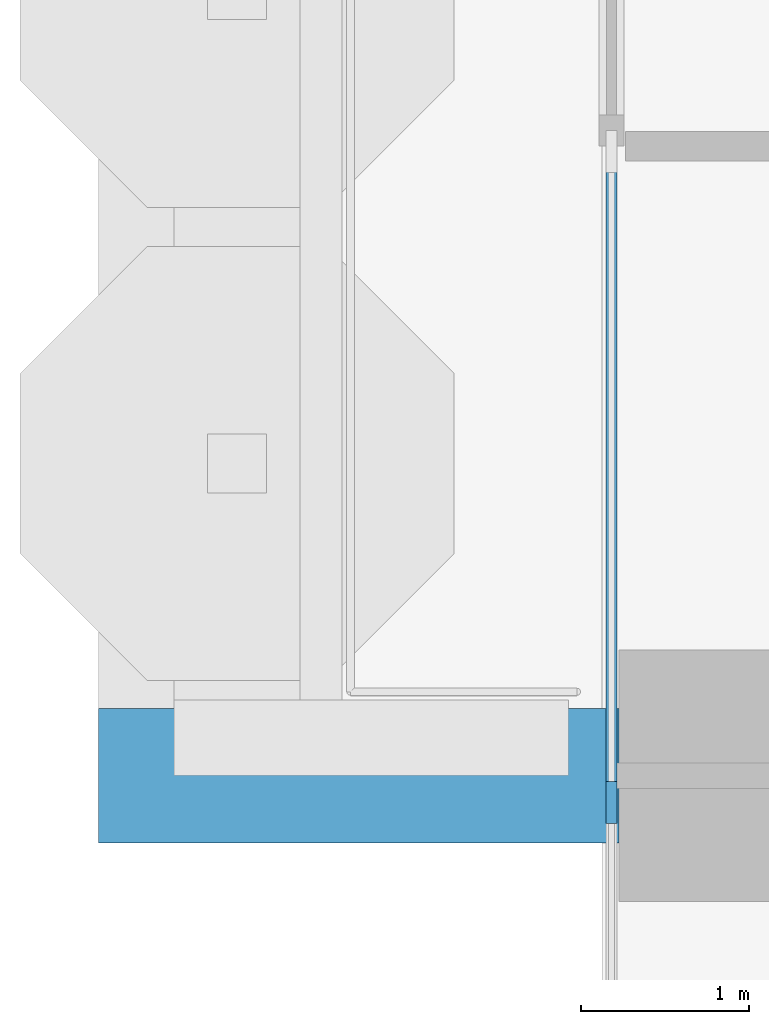
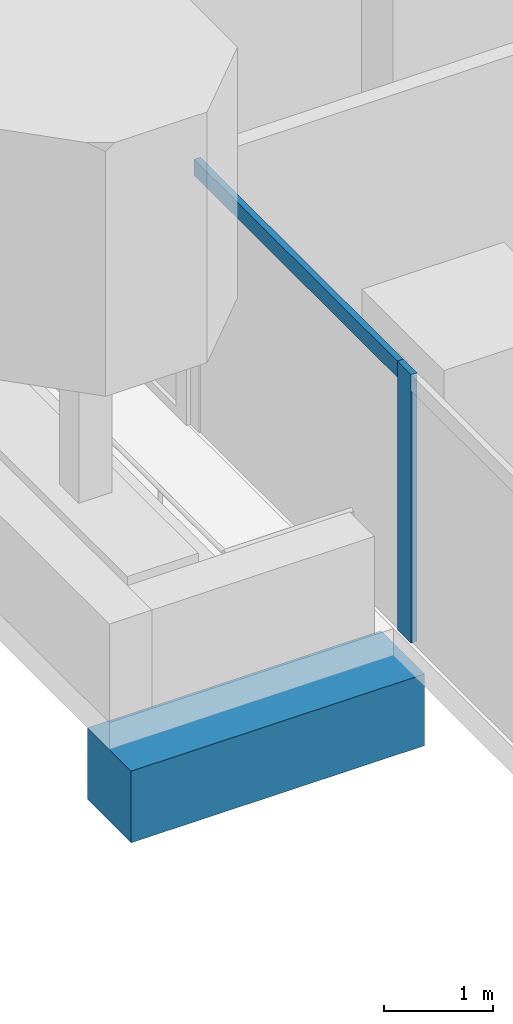
# One storey, part 3 of 19: 2 members, 1 beam, 1 element without a shape of its own.
"""IFC4 building model written with IfcOpenShell, lengths in metres."""

from ifc_helpers import new_model, si_unit, direction, frame, origin, origin_2d, place, context, subcontext, project, spatial, rectangle, extrude, material, material_profile, profile_set, type_object, element, aggregate, save


model = new_model("IFC4")

# Units and contexts
model_context = context("Model", 3, precision=1e-05, world=origin(), true_north=direction((0.0, 1.0)))
body_context = subcontext(model_context, "Body", "Model", "MODEL_VIEW")
ifc_project = project(units=[si_unit("LENGTHUNIT", "METRE"), si_unit("AREAUNIT", "SQUARE_METRE"), si_unit("VOLUMEUNIT", "CUBIC_METRE"), si_unit("PLANEANGLEUNIT", "RADIAN"), si_unit("MASSUNIT", "GRAM", prefix="KILO")], contexts=[model_context])

# Site, building, storey
site_placement = place(None, origin())
site = spatial("IfcSite", under=ifc_project, at=site_placement, CompositionType="ELEMENT")
building_placement = place(site_placement, origin())
building = spatial("IfcBuilding", under=site, at=building_placement, Name="Pilkhan Gate Tower", CompositionType="ELEMENT")
storey_placement = place(building_placement, frame((0.0, 0.0, 89.0)))
storey = spatial("IfcBuildingStorey", under=building, at=storey_placement, Name="L21", CompositionType="ELEMENT", Elevation=89.0)

# Beam
ifc_material_1 = material(Name="Concrete C50/60", Category="concrete")
ifc_material_profile_1 = material_profile(ifc_material_1, rectangle(XDim=0.800048828125, YDim=0.800048828125, at=origin_2d()), Name="RC 800x800")
ifc_profile_set_1 = profile_set([ifc_material_profile_1], Name="Concrete C50/60")
beam_type = type_object("IfcBeamType", Name="Cantilever beam CB2 RC 800x800 C50/60", PredefinedType="BEAM", material=ifc_profile_set_1)
beam_placement = place(storey_placement, frame((48.0, 67.5, -0.699951171875), z_axis=(-1.0, 0.0, 0.0), x_axis=(0.0, -1.0, 0.0)))
element("IfcBeam", 1, at=beam_placement, inside=storey, type_object=beam_type, Name="Balcony beam W.1 L21", PredefinedType="BEAM", context=body_context, shape_type="SweptSolid", body=[
    extrude(rectangle(XDim=0.800048828125, YDim=0.800048828125, at=origin_2d()), origin(), (0.0, 0.0, 1.0), 3.10009765625),
])

# Curtain wall, members
ifc_material_2 = material(Name="Pale anodised aluminium, clear low-iron double glazing", Category="aluminium")
curtain_wall_type = type_object("IfcCurtainWallType", Name="Hotel unitised curtain wall CW-H", PredefinedType="USERDEFINED", material=ifc_material_2)
curtain_wall_placement = place(storey_placement, origin())
curtain_wall = element("IfcCurtainWall", 2, at=curtain_wall_placement, inside=storey, type_object=curtain_wall_type, Name="Hotel unitised curtain wall CW-H L21 W", ObjectType="UNITISED CURTAIN WALL", PredefinedType="USERDEFINED")
ifc_material_3 = material(Name="Pale anodised aluminium", Category="aluminium")
ifc_material_profile_2 = material_profile(ifc_material_3, rectangle(XDim=0.06494140625, YDim=0.25, at=origin_2d()), Name="Mullion 250x65")
ifc_profile_set_2 = profile_set([ifc_material_profile_2], Name="Pale anodised aluminium")
member_type_1 = type_object("IfcMemberType", Name="Mullion CW-H 250x65", PredefinedType="MULLION", material=ifc_profile_set_2)
member_1_placement = place(storey_placement, frame((47.955078125, 67.341064453125, 0.0), z_axis=(0.0, 0.0, 1.0), x_axis=(-1.0, 0.0, 0.0)))
member_1 = element("IfcMember", 3, at=member_1_placement, type_object=member_type_1, Name="CW-H mullion 2", PredefinedType="MULLION", context=body_context, shape_type="SweptSolid", body=[
    extrude(rectangle(XDim=0.06494140625, YDim=0.25, at=origin_2d()), origin(), (0.0, 0.0, 1.0), 3.0),
])
ifc_material_profile_3 = material_profile(ifc_material_3, rectangle(XDim=0.06494140625, YDim=0.179931640625, at=origin_2d()), Name="Transom 180x65")
ifc_profile_set_3 = profile_set([ifc_material_profile_3], Name="Pale anodised aluminium")
member_type_2 = type_object("IfcMemberType", Name="Transom CW-H 180x65", PredefinedType="USERDEFINED", material=ifc_profile_set_3)
member_2_placement = place(storey_placement, frame((47.955078125, 67.37353515625, 2.909912109375), z_axis=(0.0, 1.0, 0.0), x_axis=(-1.0, 0.0, 0.0)))
member_2 = element("IfcMember", 4, at=member_2_placement, type_object=member_type_2, Name="CW-H transom 2", ObjectType="TRANSOM", PredefinedType="USERDEFINED", context=body_context, shape_type="SweptSolid", body=[
    extrude(rectangle(XDim=0.06494140625, YDim=0.179931640625, at=origin_2d()), origin(), (0.0, 0.0, 1.0), 3.8115234375),
])
aggregate(curtain_wall, [member_1, member_2])

save(model, "model.ifc")
